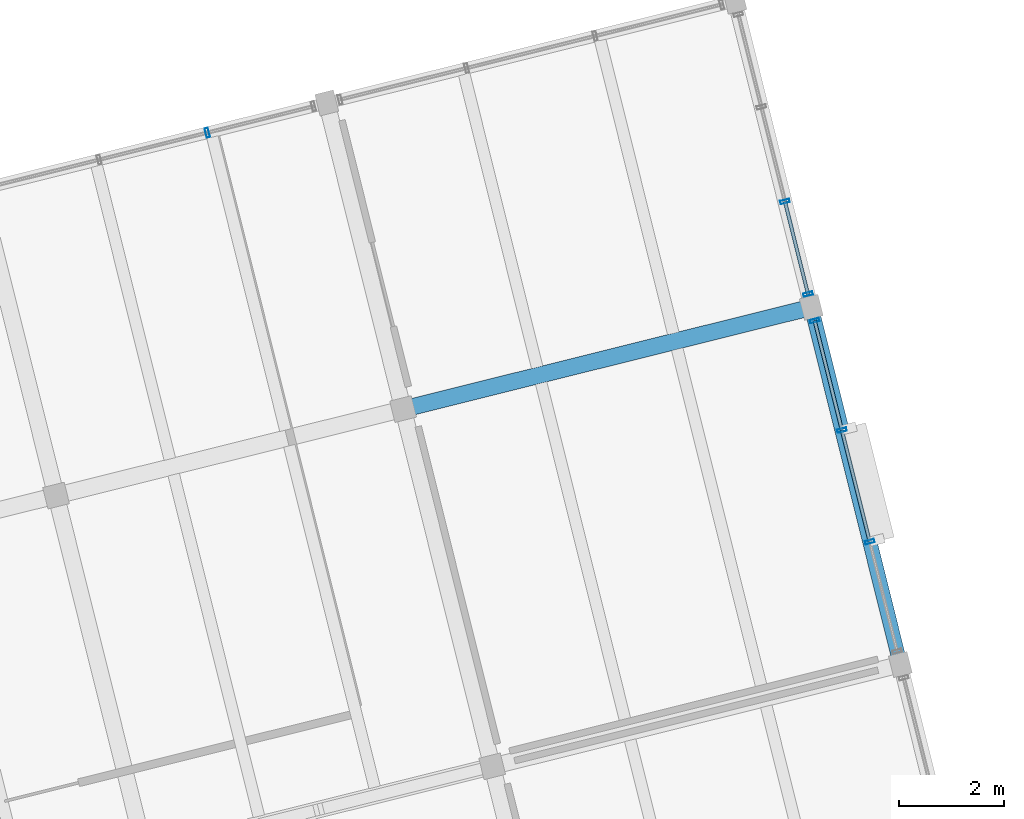
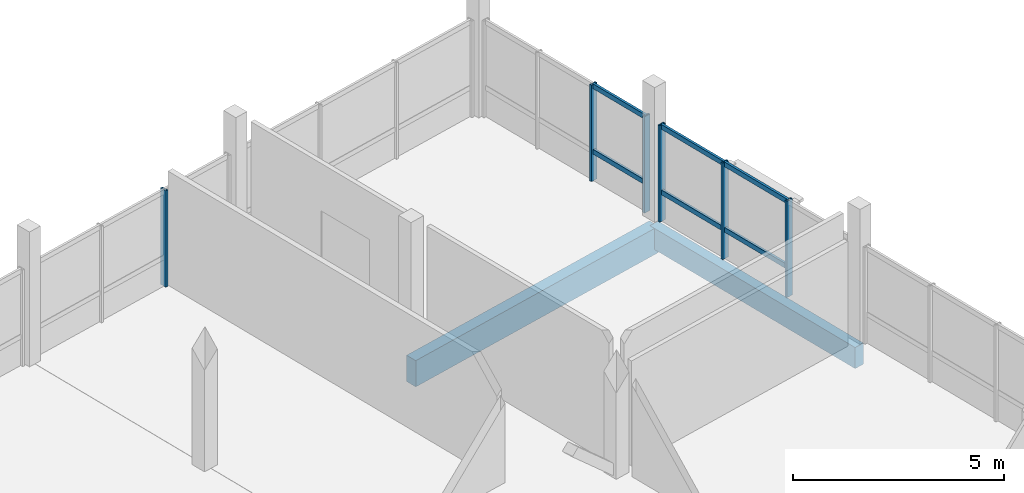
# One storey, part 21 of 28: 12 members, 2 beams, 3 elements without a shape of their own.
"""IFC4 building model written with IfcOpenShell, lengths in metres."""

from ifc_helpers import new_model, si_unit, direction, frame, origin, origin_2d, place, context, subcontext, project, spatial, rectangle, hollow_rectangle, extrude, material, layer, layer_set, material_profile, profile_set, type_object, element, aggregate, save


model = new_model("IFC4")

# Units and contexts
model_context = context("Model", 3, precision=1e-05, world=origin(), true_north=direction((0.0, 1.0)))
body_context = subcontext(model_context, "Body", "Model", "MODEL_VIEW")
ifc_project = project(units=[si_unit("LENGTHUNIT", "METRE"), si_unit("AREAUNIT", "SQUARE_METRE"), si_unit("VOLUMEUNIT", "CUBIC_METRE"), si_unit("PLANEANGLEUNIT", "RADIAN"), si_unit("MASSUNIT", "GRAM", prefix="KILO")], contexts=[model_context])

# Site, building, storey
site_placement = place(None, origin())
site = spatial("IfcSite", under=ifc_project, at=site_placement, CompositionType="ELEMENT")
building_placement = place(site_placement, origin())
building = spatial("IfcBuilding", under=site, at=building_placement, Name="Meriwether Solvik Hall", CompositionType="ELEMENT")
storey_placement = place(building_placement, frame((0.0, 0.0, 30.0)))
storey = spatial("IfcBuildingStorey", under=building, at=storey_placement, Name="L07", CompositionType="ELEMENT", Elevation=30.0)

# Beams
ifc_material_1 = material(Name="Glulam Douglas-Fir 24F-V8 GL28h", Category="wood")
ifc_material_profile_1 = material_profile(ifc_material_1, rectangle(XDim=0.27294921875, YDim=0.610107421875, at=origin_2d()), Name="GLB-273X610")
ifc_profile_set_1 = profile_set([ifc_material_profile_1], Name="Glulam Douglas-Fir 24F-V8 GL28h")
beam_type_1 = type_object("IfcBeamType", Name="BM-GL-273X610", PredefinedType="SPANDREL", material=ifc_profile_set_1)
beam_1_placement = place(storey_placement, frame((106.212646484375, 72.220703125, -0.52490234375), z_axis=(-0.241903692719, 0.970300264582, 0.0), x_axis=(-0.970300264582, -0.241903692719, 0.0)))
element("IfcBeam", 1, at=beam_1_placement, inside=storey, type_object=beam_type_1, Name="Tower Girder T7:TD-TE (L07)", PredefinedType="SPANDREL", context=body_context, shape_type="SweptSolid", body=[
    extrude(rectangle(XDim=0.27294921875, YDim=0.610107421875, at=origin_2d()), origin(), (0.0, 0.0, 1.0), 7.000244140625),
])
ifc_material_2 = material(Name="Glulam Douglas-Fir 24F-V8 GL28h", Category="wood")
ifc_material_profile_2 = material_profile(ifc_material_2, rectangle(XDim=0.31494140625, YDim=0.760009765625, at=origin_2d()), Name="GLB-315X760")
ifc_profile_set_2 = profile_set([ifc_material_profile_2], Name="Glulam Douglas-Fir 24F-V8 GL28h")
beam_type_2 = type_object("IfcBeamType", Name="BM-GL-315X760", PredefinedType="BEAM", material=ifc_profile_set_2)
beam_2_placement = place(storey_placement, frame((96.7568359375, 77.077392578125, -0.60009765625), z_axis=(0.970291312354, 0.241939598187, 0.0), x_axis=(-0.241939598187, 0.970291312354, 0.0)))
element("IfcBeam", 2, at=beam_2_placement, inside=storey, type_object=beam_type_2, Name="Tower Girder TE:T6-T7 (L07)", PredefinedType="BEAM", context=body_context, shape_type="SweptSolid", body=[
    extrude(rectangle(XDim=0.31494140625, YDim=0.760009765625, at=origin_2d()), origin(), (0.0, 0.0, 1.0), 8.000244140625),
])

# Curtain wall, members
ifc_material_3 = material(Name="Thermally Broken Anodised Aluminium 6063-T6 and Low-E Glass", Category="aluminium")
ifc_layer_1 = layer(ifc_material_3, 0.179931640625)
ifc_layer_set_1 = layer_set([ifc_layer_1], Name="Thermally Broken Anodised Aluminium 6063-T6 and Low-E Glass")
curtain_wall_type_1 = type_object("IfcCurtainWallType", Name="CW-UNIT-B", PredefinedType="USERDEFINED", material=ifc_layer_set_1)
curtain_wall_1_placement = place(storey_placement, origin())
curtain_wall_1 = element("IfcCurtainWall", 3, at=curtain_wall_1_placement, inside=storey, type_object=curtain_wall_type_1, Name="Curtain Wall E3_B1 (L07)", ObjectType="UNITISED CURTAIN WALL", PredefinedType="USERDEFINED")
ifc_material_4 = material(Name="Anodised Aluminium 6063-T6", Category="aluminium")
ifc_material_profile_3 = material_profile(ifc_material_4, hollow_rectangle(XDim=0.06494140625, YDim=0.179931640625, WallThickness=0.00439453125, at=origin_2d()), Name="CWM-65X180")
ifc_profile_set_3 = profile_set([ifc_material_profile_3], Name="Anodised Aluminium 6063-T6")
member_type_1 = type_object("IfcMemberType", Name="CW-MUL-65X180", PredefinedType="MULLION", material=ifc_profile_set_3)
member_1_placement = place(storey_placement, frame((104.58203125, 78.760498046875, 0.0), z_axis=(0.0, 0.0, 1.0), x_axis=(0.241921751704, -0.970295762153, 0.0)))
member_1 = element("IfcMember", 4, at=member_1_placement, type_object=member_type_1, Name="Curtain Wall Mullion 1", PredefinedType="MULLION", context=body_context, shape_type="SweptSolid", body=[
    extrude(hollow_rectangle(XDim=0.06494140625, YDim=0.179931640625, WallThickness=0.00439453125, at=origin_2d()), origin(), (0.0, 0.0, 1.0), 2.7900390625),
])
member_2_placement = place(storey_placement, frame((105.1015625, 76.677001953125, 0.0), z_axis=(0.0, 0.0, 1.0), x_axis=(0.241921751704, -0.970295762153, 0.0)))
member_2 = element("IfcMember", 5, at=member_2_placement, type_object=member_type_1, Name="Curtain Wall Mullion 2", PredefinedType="MULLION", context=body_context, shape_type="SweptSolid", body=[
    extrude(hollow_rectangle(XDim=0.06494140625, YDim=0.179931640625, WallThickness=0.00439453125, at=origin_2d()), origin(), (0.0, 0.0, 1.0), 2.7900390625),
])
member_3_placement = place(storey_placement, frame((105.63037109375, 74.556640625, 0.0), z_axis=(0.0, 0.0, 1.0), x_axis=(0.241921751704, -0.970295762153, 0.0)))
member_3 = element("IfcMember", 6, at=member_3_placement, type_object=member_type_1, Name="Curtain Wall Mullion 3", PredefinedType="MULLION", context=body_context, shape_type="SweptSolid", body=[
    extrude(hollow_rectangle(XDim=0.06494140625, YDim=0.179931640625, WallThickness=0.00439453125, at=origin_2d()), origin(), (0.0, 0.0, 1.0), 2.7900390625),
])

ifc_material_5 = material(Name="Thermally Broken Anodised Aluminium 6063-T6 and Low-E Glass", Category="aluminium")
ifc_layer_2 = layer(ifc_material_5, 0.179931640625)
ifc_layer_set_2 = layer_set([ifc_layer_2], Name="Thermally Broken Anodised Aluminium 6063-T6 and Low-E Glass")
curtain_wall_type_2 = type_object("IfcCurtainWallType", Name="CW-UNIT-C", PredefinedType="USERDEFINED", material=ifc_layer_set_2)
curtain_wall_2_placement = place(storey_placement, origin())
curtain_wall_2 = element("IfcCurtainWall", 7, at=curtain_wall_2_placement, inside=storey, type_object=curtain_wall_type_2, Name="Curtain Wall E3_B2 (L07)", ObjectType="UNITISED CURTAIN WALL", PredefinedType="USERDEFINED")
member_4_placement = place(storey_placement, frame((104.017333984375, 81.025146484375, 0.0), z_axis=(0.0, 0.0, 1.0), x_axis=(0.241921889131, -0.970295727889, 0.0)))
member_4 = element("IfcMember", 8, at=member_4_placement, type_object=member_type_1, Name="Curtain Wall Mullion 3", PredefinedType="MULLION", context=body_context, shape_type="SweptSolid", body=[
    extrude(hollow_rectangle(XDim=0.06494140625, YDim=0.179931640625, WallThickness=0.00439453125, at=origin_2d()), origin(), (0.0, 0.0, 1.0), 2.7900390625),
])
member_5_placement = place(storey_placement, frame((104.456298828125, 79.26513671875, 0.0), z_axis=(0.0, 0.0, 1.0), x_axis=(0.241921889131, -0.970295727889, 0.0)))
member_5 = element("IfcMember", 9, at=member_5_placement, type_object=member_type_1, Name="Curtain Wall Mullion 4", PredefinedType="MULLION", context=body_context, shape_type="SweptSolid", body=[
    extrude(hollow_rectangle(XDim=0.06494140625, YDim=0.179931640625, WallThickness=0.00439453125, at=origin_2d()), origin(), (0.0, 0.0, 1.0), 2.7900390625),
])

# Curtain wall, member
ifc_material_6 = material(Name="Thermally Broken Anodised Aluminium 6063-T6 and Low-E Glass", Category="aluminium")
ifc_layer_3 = layer(ifc_material_6, 0.179931640625)
ifc_layer_set_3 = layer_set([ifc_layer_3], Name="Thermally Broken Anodised Aluminium 6063-T6 and Low-E Glass")
curtain_wall_type_3 = type_object("IfcCurtainWallType", Name="CW-UNIT-F", PredefinedType="USERDEFINED", material=ifc_layer_set_3)
curtain_wall_3_placement = place(storey_placement, origin())
curtain_wall_3 = element("IfcCurtainWall", 10, at=curtain_wall_3_placement, inside=storey, type_object=curtain_wall_type_3, Name="Curtain Wall E4_B4 (L07)", ObjectType="UNITISED CURTAIN WALL", PredefinedType="USERDEFINED")
member_6_placement = place(storey_placement, frame((93.0341796875, 82.3330078125, 0.0), z_axis=(0.0, 0.0, 1.0), x_axis=(0.970295750618, 0.24192179797, 0.0)))
member_6 = element("IfcMember", 11, at=member_6_placement, type_object=member_type_1, Name="Curtain Wall Mullion 3", PredefinedType="MULLION", context=body_context, shape_type="SweptSolid", body=[
    extrude(hollow_rectangle(XDim=0.06494140625, YDim=0.179931640625, WallThickness=0.00439453125, at=origin_2d()), origin(), (0.0, 0.0, 1.0), 2.7900390625),
])
aggregate(curtain_wall_3, [member_6])

# Member
ifc_material_7 = material(Name="Anodised Aluminium 6063-T6", Category="aluminium")
ifc_material_profile_4 = material_profile(ifc_material_7, hollow_rectangle(XDim=0.06494140625, YDim=0.139892578125, WallThickness=0.00439453125, at=origin_2d()), Name="CWT-65X140")
ifc_profile_set_4 = profile_set([ifc_material_profile_4], Name="Anodised Aluminium 6063-T6")
member_type_2 = type_object("IfcMemberType", Name="CW-TRN-65X140", PredefinedType="USERDEFINED", material=ifc_profile_set_4)
member_7_placement = place(storey_placement, frame((104.58203125, 78.760498046875, 0.8369140625), z_axis=(0.241947031677, -0.970289458802, 0.0), x_axis=(0.970289458802, 0.241947031677, 0.0)))
member_7 = element("IfcMember", 12, at=member_7_placement, type_object=member_type_2, Name="Curtain Wall Transom 1-sill", ObjectType="TRANSOM", PredefinedType="USERDEFINED", context=body_context, shape_type="SweptSolid", body=[
    extrude(hollow_rectangle(XDim=0.06494140625, YDim=0.139892578125, WallThickness=0.00439453125, at=origin_2d()), origin(), (0.0, 0.0, 1.0), 2.147216796875),
])

member_8_placement = place(storey_placement, frame((104.58203125, 78.760498046875, 2.72998046875), z_axis=(0.241947031677, -0.970289458802, 0.0), x_axis=(0.970289458802, 0.241947031677, 0.0)))
member_8 = element("IfcMember", 13, at=member_8_placement, type_object=member_type_2, Name="Curtain Wall Transom 1-head", ObjectType="TRANSOM", PredefinedType="USERDEFINED", context=body_context, shape_type="SweptSolid", body=[
    extrude(hollow_rectangle(XDim=0.06494140625, YDim=0.139892578125, WallThickness=0.00439453125, at=origin_2d()), origin(), (0.0, 0.0, 1.0), 2.147216796875),
])

member_9_placement = place(storey_placement, frame((105.1015625, 76.677001953125, 0.8369140625), z_axis=(0.241983562004, -0.970280349033, 0.0), x_axis=(0.970280349033, 0.241983562004, 0.0)))
member_9 = element("IfcMember", 14, at=member_9_placement, type_object=member_type_2, Name="Curtain Wall Transom 2-sill", ObjectType="TRANSOM", PredefinedType="USERDEFINED", context=body_context, shape_type="SweptSolid", body=[
    extrude(hollow_rectangle(XDim=0.06494140625, YDim=0.139892578125, WallThickness=0.00439453125, at=origin_2d()), origin(), (0.0, 0.0, 1.0), 2.185302734375),
])

member_10_placement = place(storey_placement, frame((105.1015625, 76.677001953125, 2.72998046875), z_axis=(0.241983562004, -0.970280349033, 0.0), x_axis=(0.970280349033, 0.241983562004, 0.0)))
member_10 = element("IfcMember", 15, at=member_10_placement, type_object=member_type_2, Name="Curtain Wall Transom 2-head", ObjectType="TRANSOM", PredefinedType="USERDEFINED", context=body_context, shape_type="SweptSolid", body=[
    extrude(hollow_rectangle(XDim=0.06494140625, YDim=0.139892578125, WallThickness=0.00439453125, at=origin_2d()), origin(), (0.0, 0.0, 1.0), 2.185302734375),
])

aggregate(curtain_wall_1, [member_1, member_2, member_3, member_7, member_8, member_9, member_10])

member_11_placement = place(storey_placement, frame((104.017333984375, 81.025146484375, 0.8369140625), z_axis=(0.241997217907, -0.97027694321, 0.0), x_axis=(0.97027694321, 0.241997217907, 0.0)))
member_11 = element("IfcMember", 16, at=member_11_placement, type_object=member_type_2, Name="Curtain Wall Transom 3-sill", ObjectType="TRANSOM", PredefinedType="USERDEFINED", context=body_context, shape_type="SweptSolid", body=[
    extrude(hollow_rectangle(XDim=0.06494140625, YDim=0.139892578125, WallThickness=0.00439453125, at=origin_2d()), origin(), (0.0, 0.0, 1.0), 1.81396484375),
])

member_12_placement = place(storey_placement, frame((104.017333984375, 81.025146484375, 2.72998046875), z_axis=(0.241997217907, -0.97027694321, 0.0), x_axis=(0.97027694321, 0.241997217907, 0.0)))
member_12 = element("IfcMember", 17, at=member_12_placement, type_object=member_type_2, Name="Curtain Wall Transom 3-head", ObjectType="TRANSOM", PredefinedType="USERDEFINED", context=body_context, shape_type="SweptSolid", body=[
    extrude(hollow_rectangle(XDim=0.06494140625, YDim=0.139892578125, WallThickness=0.00439453125, at=origin_2d()), origin(), (0.0, 0.0, 1.0), 1.81396484375),
])

aggregate(curtain_wall_2, [member_4, member_5, member_11, member_12])

save(model, "model.ifc")
